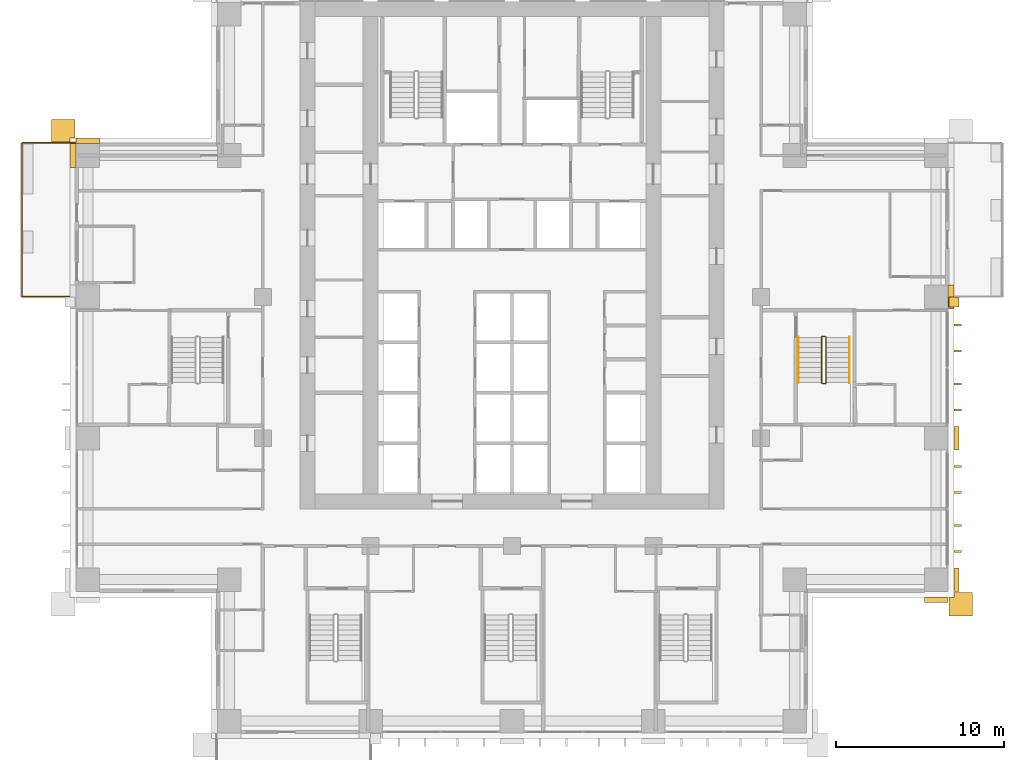
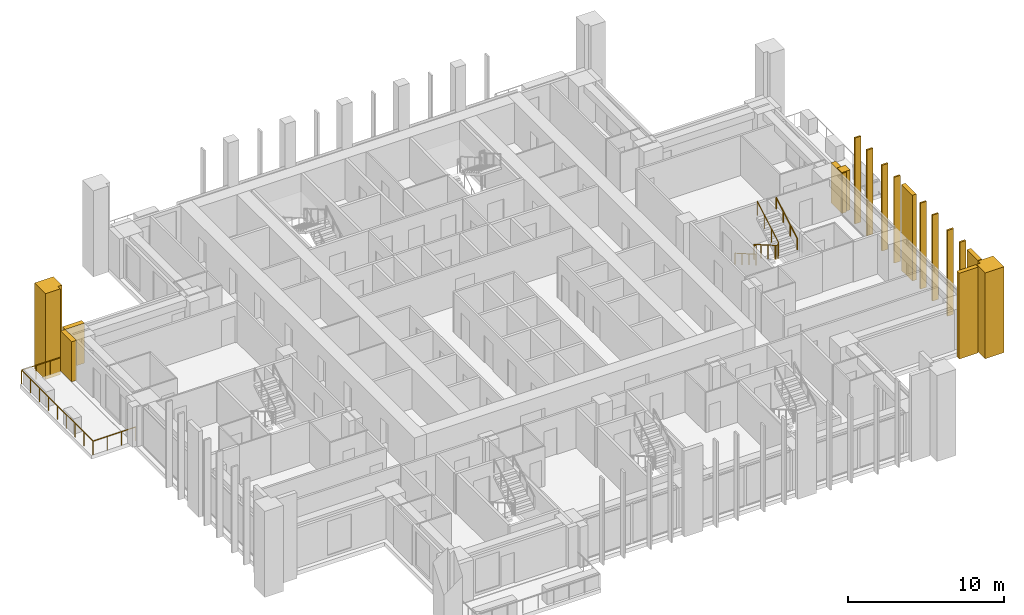
# One storey, part 15 of 17: 17 coverings, 4 railings.
"""IFC4 building model written with IfcOpenShell, lengths in metres."""

from ifc_helpers import new_model, si_unit, direction, frame, origin, origin_2d, place, context, subcontext, project, spatial, polyline, rectangle, outline, extrude, material, layer, layer_set, type_object, element, save


model = new_model("IFC4")

# Units and contexts
model_context = context("Model", 3, precision=1e-05, world=origin(), true_north=direction((0.0, 1.0)))
body_context = subcontext(model_context, "Body", "Model", "MODEL_VIEW")
ifc_project = project(units=[si_unit("LENGTHUNIT", "METRE"), si_unit("AREAUNIT", "SQUARE_METRE"), si_unit("VOLUMEUNIT", "CUBIC_METRE"), si_unit("PLANEANGLEUNIT", "RADIAN"), si_unit("MASSUNIT", "GRAM", prefix="KILO")], contexts=[model_context])

# Site, building, storey
site_placement = place(None, origin())
site = spatial("IfcSite", under=ifc_project, at=site_placement, CompositionType="ELEMENT")
building_placement = place(site_placement, origin())
building = spatial("IfcBuilding", under=site, at=building_placement, Name="Vermilion Ogive Tower", CompositionType="ELEMENT")
storey_placement = place(building_placement, frame((0.0, 0.0, 69.0)))
storey = spatial("IfcBuildingStorey", under=building, at=storey_placement, Name="L16", CompositionType="ELEMENT", Elevation=69.0)

# Railing
ifc_material_1 = material(Name="Stainless steel and glass", Category="steel")
railing_type_1 = type_object("IfcRailingType", Name="Balcony guard", PredefinedType="GUARDRAIL", material=ifc_material_1)
railing_1_placement = place(storey_placement, frame((-25.949951171875, 13.35009765625, -0.0400390625)))
element("IfcRailing", 1, at=railing_1_placement, inside=storey, type_object=railing_type_1, Name="Guard W01", PredefinedType="GUARDRAIL", context=body_context, shape_type="SweptSolid", body=[
    extrude(rectangle(XDim=0.048095703125, YDim=0.048095703125, at=origin_2d()), frame((0.0, 0.0, 1.076171875), z_axis=(-1.0, 0.0, 0.0), x_axis=(0.0, -1.0, 0.0)), (0.0, 0.0, 1.0), 3.16015625),
    extrude(rectangle(XDim=0.048095703125, YDim=0.048095703125, at=origin_2d()), frame((-3.16015625, 0.0, 1.076171875), z_axis=(0.0, -1.0, 0.0), x_axis=(1.0, 0.0, 0.0)), (0.0, 0.0, 1.0), 9.150146484375),
    extrude(rectangle(XDim=0.048095703125, YDim=0.048095703125, at=origin_2d()), frame((-3.16015625, -9.150146484375, 1.076171875), z_axis=(1.0, 0.0, 0.0), x_axis=(0.0, 1.0, 0.0)), (0.0, 0.0, 1.0), 3.16015625),
    extrude(rectangle(XDim=0.0419921875, YDim=0.0419921875, at=origin_2d()), origin(), (0.0, 0.0, 1.0), 1.052001953125),
    extrude(rectangle(XDim=0.0419921875, YDim=0.0419921875, at=origin_2d()), frame((-1.053466796875, 0.0, 0.0)), (0.0, 0.0, 1.0), 1.052001953125),
    extrude(rectangle(XDim=0.0419921875, YDim=0.0419921875, at=origin_2d()), frame((-2.106689453125, 0.0, 0.0)), (0.0, 0.0, 1.0), 1.052001953125),
    extrude(rectangle(XDim=0.0419921875, YDim=0.0419921875, at=origin_2d()), frame((-3.16015625, 0.0, 0.0)), (0.0, 0.0, 1.0), 1.052001953125),
    extrude(rectangle(XDim=0.0419921875, YDim=0.0419921875, at=origin_2d()), frame((-3.16015625, -1.143798828125, 0.0)), (0.0, 0.0, 1.0), 1.052001953125),
    extrude(rectangle(XDim=0.0419921875, YDim=0.0419921875, at=origin_2d()), frame((-3.16015625, -2.28759765625, 0.0)), (0.0, 0.0, 1.0), 1.052001953125),
    extrude(rectangle(XDim=0.0419921875, YDim=0.0419921875, at=origin_2d()), frame((-3.16015625, -3.431396484375, 0.0)), (0.0, 0.0, 1.0), 1.052001953125),
    extrude(rectangle(XDim=0.0419921875, YDim=0.0419921875, at=origin_2d()), frame((-3.16015625, -4.5751953125, 0.0)), (0.0, 0.0, 1.0), 1.052001953125),
    extrude(rectangle(XDim=0.0419921875, YDim=0.0419921875, at=origin_2d()), frame((-3.16015625, -5.71875, 0.0)), (0.0, 0.0, 1.0), 1.052001953125),
    extrude(rectangle(XDim=0.0419921875, YDim=0.0419921875, at=origin_2d()), frame((-3.16015625, -6.862548828125, 0.0)), (0.0, 0.0, 1.0), 1.052001953125),
    extrude(rectangle(XDim=0.0419921875, YDim=0.0419921875, at=origin_2d()), frame((-3.16015625, -8.00634765625, 0.0)), (0.0, 0.0, 1.0), 1.052001953125),
    extrude(rectangle(XDim=0.0419921875, YDim=0.0419921875, at=origin_2d()), frame((-3.16015625, -9.150146484375, 0.0)), (0.0, 0.0, 1.0), 1.052001953125),
    extrude(rectangle(XDim=0.0419921875, YDim=0.0419921875, at=origin_2d()), frame((-2.106689453125, -9.150146484375, 0.0)), (0.0, 0.0, 1.0), 1.052001953125),
    extrude(rectangle(XDim=0.0419921875, YDim=0.0419921875, at=origin_2d()), frame((-1.053466796875, -9.150146484375, 0.0)), (0.0, 0.0, 1.0), 1.052001953125),
    extrude(rectangle(XDim=0.0419921875, YDim=0.0419921875, at=origin_2d()), frame((0.0, -9.150146484375, 0.0)), (0.0, 0.0, 1.0), 1.052001953125),
])

# Coverings
ifc_material_2 = material(Name="Glazed ceramic screen")
ifc_layer = layer(ifc_material_2, 0.14990234375)
ifc_layer_set = layer_set([ifc_layer], Name="Ceramic solar screen fin")
covering_type_1 = type_object("IfcCoveringType", Name="Ceramic solar screen fin", PredefinedType="CLADDING", material=ifc_layer_set)
covering_1_placement = place(storey_placement, frame((0.0, 0.0, -0.320068359375)))
element("IfcCovering", 2, at=covering_1_placement, inside=storey, type_object=covering_type_1, Name="Solar screen blade E971", PredefinedType="CLADDING", context=body_context, shape_type="SweptSolid", body=[
    extrude(outline(polyline([(26.699951171875, -10.985107421875), (26.699951171875, -10.864990234375), (26.25, -10.864990234375), (26.25, -10.985107421875), (26.699951171875, -10.985107421875)])), origin(), (0.0, 0.0, 1.0), 6.719970703125),
])
covering_2_placement = place(storey_placement, frame((0.0, 0.0, -0.320068359375)))
element("IfcCovering", 3, at=covering_2_placement, inside=storey, type_object=covering_type_1, Name="Solar screen blade E972", PredefinedType="CLADDING", context=body_context, shape_type="SweptSolid", body=[
    extrude(outline(polyline([(26.699951171875, -9.43505859375), (26.699951171875, -9.31494140625), (26.25, -9.31494140625), (26.25, -9.43505859375), (26.699951171875, -9.43505859375)])), origin(), (0.0, 0.0, 1.0), 6.719970703125),
])
covering_3_placement = place(storey_placement, frame((0.0, 0.0, -0.320068359375)))
element("IfcCovering", 4, at=covering_3_placement, inside=storey, type_object=covering_type_1, Name="Solar screen blade E981", PredefinedType="CLADDING", context=body_context, shape_type="SweptSolid", body=[
    extrude(outline(polyline([(26.699951171875, -7.485107421875), (26.699951171875, -7.364990234375), (26.25, -7.364990234375), (26.25, -7.485107421875), (26.699951171875, -7.485107421875)])), origin(), (0.0, 0.0, 1.0), 6.719970703125),
])
covering_4_placement = place(storey_placement, frame((0.0, 0.0, -0.320068359375)))
element("IfcCovering", 5, at=covering_4_placement, inside=storey, type_object=covering_type_1, Name="Solar screen blade E982", PredefinedType="CLADDING", context=body_context, shape_type="SweptSolid", body=[
    extrude(outline(polyline([(26.699951171875, -5.93505859375), (26.699951171875, -5.81494140625), (26.25, -5.81494140625), (26.25, -5.93505859375), (26.699951171875, -5.93505859375)])), origin(), (0.0, 0.0, 1.0), 6.719970703125),
])
covering_5_placement = place(storey_placement, frame((0.0, 0.0, -0.320068359375)))
element("IfcCovering", 6, at=covering_5_placement, inside=storey, type_object=covering_type_1, Name="Solar screen blade E991", PredefinedType="CLADDING", context=body_context, shape_type="SweptSolid", body=[
    extrude(outline(polyline([(26.699951171875, -2.5849609375), (26.699951171875, -2.465087890625), (26.25, -2.465087890625), (26.25, -2.5849609375), (26.699951171875, -2.5849609375)])), origin(), (0.0, 0.0, 1.0), 6.719970703125),
])
covering_6_placement = place(storey_placement, frame((0.0, 0.0, -0.320068359375)))
element("IfcCovering", 7, at=covering_6_placement, inside=storey, type_object=covering_type_1, Name="Solar screen blade E992", PredefinedType="CLADDING", context=body_context, shape_type="SweptSolid", body=[
    extrude(outline(polyline([(26.699951171875, -1.034912109375), (26.699951171875, -0.9150390625), (26.25, -0.9150390625), (26.25, -1.034912109375), (26.699951171875, -1.034912109375)])), origin(), (0.0, 0.0, 1.0), 6.719970703125),
])
covering_7_placement = place(storey_placement, frame((0.0, 0.0, -0.320068359375)))
element("IfcCovering", 8, at=covering_7_placement, inside=storey, type_object=covering_type_1, Name="Solar screen blade E001", PredefinedType="CLADDING", context=body_context, shape_type="SweptSolid", body=[
    extrude(outline(polyline([(26.699951171875, 0.9150390625), (26.699951171875, 1.034912109375), (26.25, 1.034912109375), (26.25, 0.9150390625), (26.699951171875, 0.9150390625)])), origin(), (0.0, 0.0, 1.0), 6.719970703125),
])
covering_8_placement = place(storey_placement, frame((0.0, 0.0, -0.320068359375)))
element("IfcCovering", 9, at=covering_8_placement, inside=storey, type_object=covering_type_1, Name="Solar screen blade E002", PredefinedType="CLADDING", context=body_context, shape_type="SweptSolid", body=[
    extrude(outline(polyline([(26.699951171875, 2.465087890625), (26.699951171875, 2.5849609375), (26.25, 2.5849609375), (26.25, 2.465087890625), (26.699951171875, 2.465087890625)])), origin(), (0.0, 0.0, 1.0), 6.719970703125),
])

# Railings
ifc_material_3 = material(Name="Steel S355 painted", Category="steel")
railing_type_2 = type_object("IfcRailingType", Name="Stair guard 1100", PredefinedType="GUARDRAIL", material=ifc_material_3)
railing_2_placement = place(storey_placement, frame((18.60009765625, 1.85009765625, 0.0)))
element("IfcRailing", 10, at=railing_2_placement, inside=storey, type_object=railing_type_2, Name="L16 ST8 stair guard 4", PredefinedType="GUARDRAIL", context=body_context, shape_type="SweptSolid", body=[
    extrude(rectangle(XDim=0.048095703125, YDim=0.048095703125, at=origin_2d()), frame((0.0, 0.0, 1.076171875), z_axis=(-1.0, 0.0, 0.0), x_axis=(0.0, -1.0, 0.0)), (0.0, 0.0, 1.0), 0.150146484375),
    extrude(rectangle(XDim=0.048095703125, YDim=0.048095703125, at=origin_2d()), frame((-0.150146484375, 0.0, 1.076171875), z_axis=(-0.268277960024, -0.268277960024, 0.925231793839), x_axis=(0.707106781187, -0.707106781187, 0.0)), (0.0, 0.0, 1.0), 0.1865234375),
    extrude(rectangle(XDim=0.048095703125, YDim=0.048095703125, at=origin_2d()), frame((-0.2001953125, -0.050048828125, 1.24853515625), z_axis=(0.0, -0.866903762492, 0.498475542607), x_axis=(1.0, 0.0, 0.0)), (0.0, 0.0, 1.0), 3.114501953125),
    extrude(rectangle(XDim=0.048095703125, YDim=0.048095703125, at=origin_2d()), frame((-0.2001953125, -2.75, 2.80126953125), z_axis=(0.707106781187, -0.707106781187, 0.0), x_axis=(0.707106781187, 0.707106781187, 0.0)), (0.0, 0.0, 1.0), 0.07080078125),
    extrude(rectangle(XDim=0.048095703125, YDim=0.048095703125, at=origin_2d()), frame((-0.150146484375, -2.800048828125, 2.80126953125), z_axis=(1.0, 0.0, 0.0), x_axis=(0.0, 1.0, 0.0)), (0.0, 0.0, 1.0), 0.150146484375),
    extrude(rectangle(XDim=0.048095703125, YDim=0.048095703125, at=origin_2d()), frame((0.0, -2.800048828125, 2.80126953125), z_axis=(0.267386790225, 0.268697509785, 0.925368009307), x_axis=(-0.708833529934, 0.705375805398, 0.0)), (0.0, 0.0, 1.0), 0.186279296875),
    extrude(rectangle(XDim=0.048095703125, YDim=0.048095703125, at=origin_2d()), frame((0.0498046875, -2.75, 2.9736328125), z_axis=(0.0, 0.866903762492, 0.498475542607), x_axis=(-1.0, 0.0, 0.0)), (0.0, 0.0, 1.0), 3.114501953125),
    extrude(rectangle(XDim=0.0419921875, YDim=0.0419921875, at=origin_2d()), origin(), (0.0, 0.0, 1.0), 1.052001953125),
    extrude(rectangle(XDim=0.0419921875, YDim=0.0419921875, at=origin_2d()), frame((-0.150146484375, 0.0, 0.0)), (0.0, 0.0, 1.0), 1.052001953125),
    extrude(rectangle(XDim=0.0419921875, YDim=0.0419921875, at=origin_2d()), frame((-0.2001953125, -0.050048828125, 0.172607421875)), (0.0, 0.0, 1.0), 1.052001953125),
    extrude(rectangle(XDim=0.0419921875, YDim=0.0419921875, at=origin_2d()), frame((-0.2001953125, -0.949951171875, 0.690185546875)), (0.0, 0.0, 1.0), 1.052001953125),
    extrude(rectangle(XDim=0.0419921875, YDim=0.0419921875, at=origin_2d()), frame((-0.2001953125, -1.85009765625, 1.20751953125)), (0.0, 0.0, 1.0), 1.052001953125),
    extrude(rectangle(XDim=0.0419921875, YDim=0.0419921875, at=origin_2d()), frame((-0.2001953125, -2.75, 1.72509765625)), (0.0, 0.0, 1.0), 1.052001953125),
    extrude(rectangle(XDim=0.0419921875, YDim=0.0419921875, at=origin_2d()), frame((-0.150146484375, -2.800048828125, 1.72509765625)), (0.0, 0.0, 1.0), 1.052001953125),
    extrude(rectangle(XDim=0.0419921875, YDim=0.0419921875, at=origin_2d()), frame((0.0, -2.800048828125, 1.72509765625)), (0.0, 0.0, 1.0), 1.052001953125),
    extrude(rectangle(XDim=0.0419921875, YDim=0.0419921875, at=origin_2d()), frame((0.0498046875, -2.75, 1.8974609375)), (0.0, 0.0, 1.0), 1.052001953125),
    extrude(rectangle(XDim=0.0419921875, YDim=0.0419921875, at=origin_2d()), frame((0.0498046875, -1.85009765625, 2.4150390625)), (0.0, 0.0, 1.0), 1.052001953125),
    extrude(rectangle(XDim=0.0419921875, YDim=0.0419921875, at=origin_2d()), frame((0.0498046875, -0.949951171875, 2.932373046875)), (0.0, 0.0, 1.0), 1.052001953125),
    extrude(rectangle(XDim=0.0419921875, YDim=0.0419921875, at=origin_2d()), frame((0.0498046875, -0.050048828125, 3.449951171875)), (0.0, 0.0, 1.0), 1.052001953125),
])
ifc_material_4 = material(Name="Stainless steel", Category="steel")
railing_type_3 = type_object("IfcRailingType", Name="Stair handrail 900", PredefinedType="HANDRAIL", material=ifc_material_4)
railing_3_placement = place(storey_placement, frame((17.0, 1.800048828125, 0.172607421875)))
element("IfcRailing", 11, at=railing_3_placement, inside=storey, type_object=railing_type_3, Name="L16 ST8 stair handrail 1", PredefinedType="HANDRAIL", context=body_context, shape_type="SweptSolid", body=[
    extrude(rectangle(XDim=0.048095703125, YDim=0.048095703125, at=origin_2d()), frame((0.0, 0.0, 0.8759765625), z_axis=(0.0, -0.866903762492, 0.498475542607), x_axis=(1.0, 0.0, 0.0)), (0.0, 0.0, 1.0), 3.114501953125),
    extrude(rectangle(XDim=0.0419921875, YDim=0.0419921875, at=origin_2d()), origin(), (0.0, 0.0, 1.0), 0.851806640625),
    extrude(rectangle(XDim=0.0419921875, YDim=0.0419921875, at=origin_2d()), frame((0.0, -0.89990234375, 0.517578125)), (0.0, 0.0, 1.0), 0.851806640625),
    extrude(rectangle(XDim=0.0419921875, YDim=0.0419921875, at=origin_2d()), frame((0.0, -1.800048828125, 1.034912109375)), (0.0, 0.0, 1.0), 0.851806640625),
    extrude(rectangle(XDim=0.0419921875, YDim=0.0419921875, at=origin_2d()), frame((0.0, -2.699951171875, 1.552490234375)), (0.0, 0.0, 1.0), 0.851806640625),
])
railing_4_placement = place(storey_placement, frame((20.050048828125, -0.89990234375, 1.8974609375)))
element("IfcRailing", 12, at=railing_4_placement, inside=storey, type_object=railing_type_3, Name="L16 ST8 stair handrail 2", PredefinedType="HANDRAIL", context=body_context, shape_type="SweptSolid", body=[
    extrude(rectangle(XDim=0.048095703125, YDim=0.048095703125, at=origin_2d()), frame((0.0, 0.0, 0.8759765625), z_axis=(0.0, 0.866903762492, 0.498475542607), x_axis=(-1.0, 0.0, 0.0)), (0.0, 0.0, 1.0), 3.114501953125),
    extrude(rectangle(XDim=0.0419921875, YDim=0.0419921875, at=origin_2d()), origin(), (0.0, 0.0, 1.0), 0.851806640625),
    extrude(rectangle(XDim=0.0419921875, YDim=0.0419921875, at=origin_2d()), frame((0.0, 0.89990234375, 0.517578125)), (0.0, 0.0, 1.0), 0.851806640625),
    extrude(rectangle(XDim=0.0419921875, YDim=0.0419921875, at=origin_2d()), frame((0.0, 1.800048828125, 1.034912109375)), (0.0, 0.0, 1.0), 0.851806640625),
    extrude(rectangle(XDim=0.0419921875, YDim=0.0419921875, at=origin_2d()), frame((0.0, 2.699951171875, 1.552490234375)), (0.0, 0.0, 1.0), 0.851806640625),
])

# Coverings
ifc_material_5 = material(Name="Stone cladding", Category="masonry")
covering_type_2 = type_object("IfcCoveringType", Name="Stone corner buttress", PredefinedType="CLADDING", material=ifc_material_5)
covering_9_placement = place(storey_placement, origin())
element("IfcCovering", 13, at=covering_9_placement, inside=storey, type_object=covering_type_2, Name="Stone crease pier EK", PredefinedType="CLADDING", context=body_context, shape_type="SweptSolid", body=[
    extrude(outline(polyline([(26.550048828125, 3.60009765625), (26.550048828125, 4.199951171875), (25.949951171875, 4.199951171875), (25.949951171875, 3.60009765625), (26.550048828125, 3.60009765625)])), origin(), (0.0, 0.0, 1.0), 3.1298828125),
])
covering_10_placement = place(storey_placement, frame((0.0, 0.0, -0.320068359375)))
element("IfcCovering", 14, at=covering_10_placement, inside=storey, type_object=covering_type_2, Name="Stone corner buttress E1", PredefinedType="CLADDING", context=body_context, shape_type="SweptSolid", body=[
    extrude(outline(polyline([(25.949951171875, -13.64990234375), (26.25, -13.64990234375), (26.25, -13.35009765625), (27.35009765625, -13.35009765625), (27.35009765625, -14.75), (25.949951171875, -14.75), (25.949951171875, -13.64990234375)])), origin(), (0.0, 0.0, 1.0), 6.719970703125),
])
covering_11_placement = place(storey_placement, frame((0.0, 0.0, -0.320068359375)))
element("IfcCovering", 15, at=covering_11_placement, inside=storey, type_object=covering_type_2, Name="Stone corner buttress W1", PredefinedType="CLADDING", context=body_context, shape_type="SweptSolid", body=[
    extrude(outline(polyline([(-26.25, 13.64990234375), (-26.25, 13.35009765625), (-27.35009765625, 13.35009765625), (-27.35009765625, 14.75), (-25.949951171875, 14.75), (-25.949951171875, 13.64990234375), (-26.25, 13.64990234375)])), origin(), (0.0, 0.0, 1.0), 6.719970703125),
])
ifc_material_6 = material(Name="Stone cladding", Category="masonry")
covering_type_3 = type_object("IfcCoveringType", Name="Stone pier", PredefinedType="CLADDING", material=ifc_material_6)
covering_12_placement = place(storey_placement, frame((0.0, 0.0, -0.320068359375)))
element("IfcCovering", 16, at=covering_12_placement, inside=storey, type_object=covering_type_3, Name="Stone pier P+0252-042", PredefinedType="CLADDING", context=body_context, shape_type="SweptSolid", body=[
    extrude(outline(polyline([(26.550048828125, -3.5), (26.550048828125, -4.89990234375), (26.25, -4.89990234375), (26.25, -3.5), (26.550048828125, -3.5)])), origin(), (0.0, 0.0, 1.0), 6.719970703125),
])
covering_13_placement = place(storey_placement, frame((0.0, 0.0, -0.320068359375)))
element("IfcCovering", 17, at=covering_13_placement, inside=storey, type_object=covering_type_3, Name="Stone pier P+0252-126X2", PredefinedType="CLADDING", context=body_context, shape_type="SweptSolid", body=[
    extrude(outline(polyline([(25.89990234375, -13.949951171875), (24.5, -13.949951171875), (24.5, -13.64990234375), (25.89990234375, -13.64990234375), (25.89990234375, -13.949951171875)])), origin(), (0.0, 0.0, 1.0), 6.719970703125),
])
covering_14_placement = place(storey_placement, frame((0.0, 0.0, -0.320068359375)))
element("IfcCovering", 18, at=covering_14_placement, inside=storey, type_object=covering_type_3, Name="Stone pier P+0252-126E", PredefinedType="CLADDING", context=body_context, shape_type="SweptSolid", body=[
    extrude(outline(polyline([(26.550048828125, -13.300048828125), (26.25, -13.300048828125), (26.25, -11.89990234375), (26.550048828125, -11.89990234375), (26.550048828125, -13.300048828125)])), origin(), (0.0, 0.0, 1.0), 6.719970703125),
])
covering_15_placement = place(storey_placement, origin())
element("IfcCovering", 19, at=covering_15_placement, inside=storey, type_object=covering_type_3, Name="Stone pier P+0252+042", PredefinedType="CLADDING", context=body_context, shape_type="SweptSolid", body=[
    extrude(outline(polyline([(26.25, 4.89990234375), (26.25, 4.199951171875), (25.949951171875, 4.199951171875), (25.949951171875, 3.60009765625), (26.25, 3.60009765625), (26.25, 3.5), (25.89990234375, 3.5), (25.89990234375, 4.89990234375), (26.25, 4.89990234375)])), origin(), (0.0, 0.0, 1.0), 3.1298828125),
])
covering_16_placement = place(storey_placement, origin())
element("IfcCovering", 20, at=covering_16_placement, inside=storey, type_object=covering_type_3, Name="Stone pier P-0252+126X6", PredefinedType="CLADDING", context=body_context, shape_type="SweptSolid", body=[
    extrude(outline(polyline([(-25.89990234375, 13.300048828125), (-25.89990234375, 13.64990234375), (-24.5, 13.64990234375), (-24.5, 13.300048828125), (-24.5, 13.300048828125), (-25.89990234375, 13.300048828125)])), origin(), (0.0, 0.0, 1.0), 3.1298828125),
])
covering_17_placement = place(storey_placement, origin())
element("IfcCovering", 21, at=covering_17_placement, inside=storey, type_object=covering_type_3, Name="Stone pier P-0252+126W", PredefinedType="CLADDING", context=body_context, shape_type="SweptSolid", body=[
    extrude(outline(polyline([(-26.25, 13.300048828125), (-25.89990234375, 13.300048828125), (-25.89990234375, 11.89990234375), (-26.25, 11.89990234375), (-26.25, 13.300048828125)])), origin(), (0.0, 0.0, 1.0), 3.1298828125),
])

save(model, "model.ifc")
